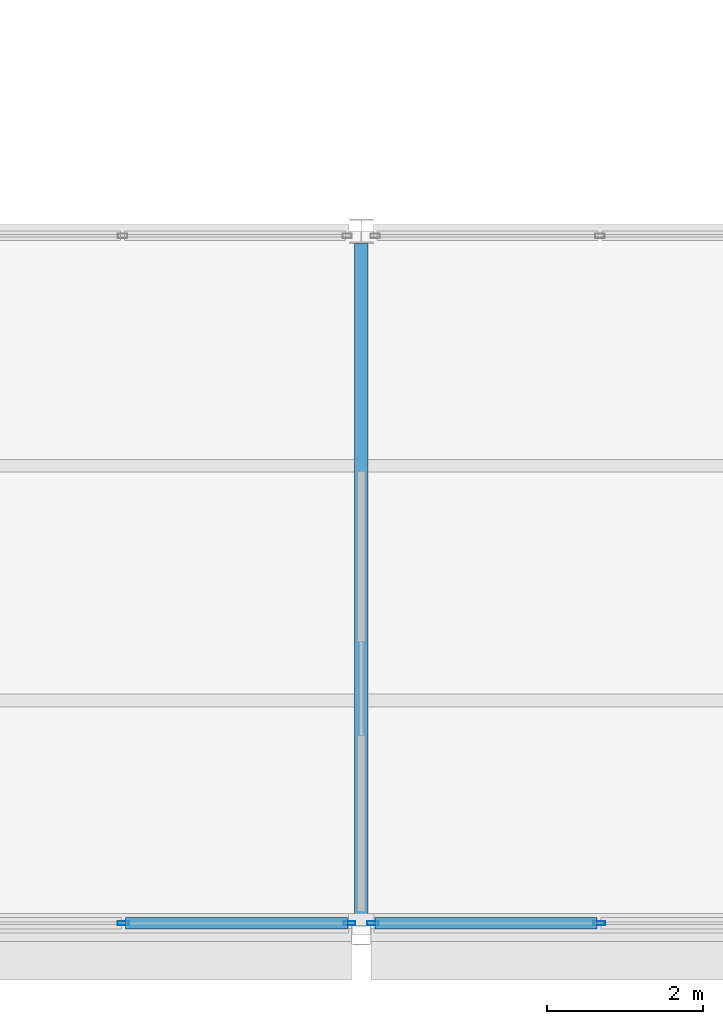
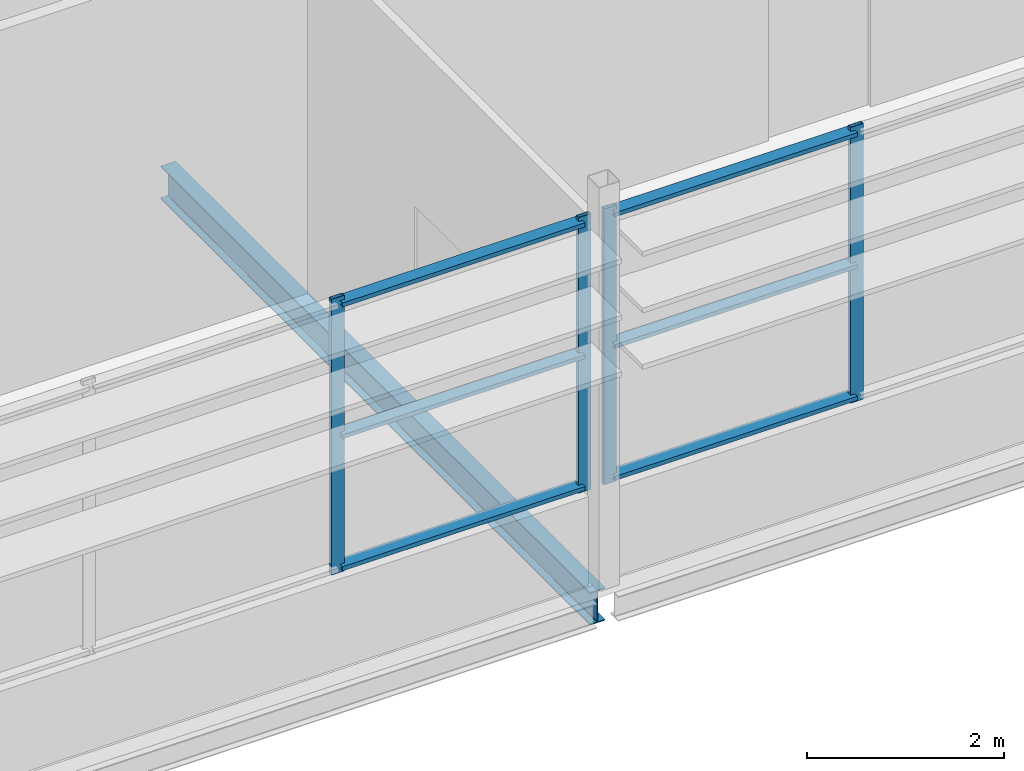
# One storey, part 34 of 94: 10 members, 1 beam, 2 elements without a shape of their own.
"""IFC4 building model written with IfcOpenShell, lengths in metres."""

from ifc_helpers import new_model, si_unit, direction, frame, origin, origin_2d, place, context, subcontext, project, spatial, hollow_rectangle, i_section, extrude, material, layer, layer_set, material_profile, profile_set, type_object, element, aggregate, save


model = new_model("IFC4")

# Units and contexts
model_context = context("Model", 3, precision=1e-05, world=origin(), true_north=direction((0.0, 1.0)))
body_context = subcontext(model_context, "Body", "Model", "MODEL_VIEW")
ifc_project = project(units=[si_unit("LENGTHUNIT", "METRE"), si_unit("AREAUNIT", "SQUARE_METRE"), si_unit("VOLUMEUNIT", "CUBIC_METRE"), si_unit("PLANEANGLEUNIT", "RADIAN"), si_unit("MASSUNIT", "GRAM", prefix="KILO")], contexts=[model_context])

# Site, building, storey
site_placement = place(None, origin())
site = spatial("IfcSite", under=ifc_project, at=site_placement, CompositionType="ELEMENT")
building_placement = place(site_placement, origin())
building = spatial("IfcBuilding", under=site, at=building_placement, Name="Shorebreak Coast Museum", CompositionType="ELEMENT")
storey_placement = place(building_placement, frame((0.0, 0.0, 31.0)))
storey = spatial("IfcBuildingStorey", under=building, at=storey_placement, Name="L05", CompositionType="ELEMENT", Elevation=31.0)

# Beam
ifc_material_1 = material(Name="Steel Grade 300", Category="steel")
ifc_material_profile_1 = material_profile(ifc_material_1, i_section(OverallWidth=0.177978515625, OverallDepth=0.406494140625, WebThickness=0.0078125, FlangeThickness=0.0126953125, FilletRadius=0.011474609375, at=origin_2d()), Name="410UB59.7")
ifc_profile_set_1 = profile_set([ifc_material_profile_1], Name="Steel Grade 300")
beam_type = type_object("IfcBeamType", Name="Floor girder north-south 410UB59.7", PredefinedType="BEAM", material=ifc_profile_set_1)
beam_placement = place(storey_placement, frame((90.0, 54.125, -0.378173828125), z_axis=(0.0, 1.0, 0.0), x_axis=(-1.0, 0.0, 0.0)))
element("IfcBeam", 1, at=beam_placement, inside=storey, type_object=beam_type, Name="Floor girder north-south L05 11G", PredefinedType="BEAM", context=body_context, shape_type="SweptSolid", body=[
    extrude(i_section(OverallWidth=0.177978515625, OverallDepth=0.406494140625, WebThickness=0.0078125, FlangeThickness=0.0126953125, FilletRadius=0.011474609375, at=origin_2d()), origin(), (0.0, 0.0, 1.0), 8.7177734375),
])

# Curtain wall, members
ifc_material_2 = material(Name="Aluminium", Category="aluminium")
ifc_layer = layer(ifc_material_2, 0.14990234375)
ifc_layer_set = layer_set([ifc_layer], Name="Aluminium")
curtain_wall_type = type_object("IfcCurtainWallType", Name="Storefront curtain wall", PredefinedType="NOTDEFINED", material=ifc_layer_set)
curtain_wall_1_placement = place(storey_placement, origin())
curtain_wall_1 = element("IfcCurtainWall", 2, at=curtain_wall_1_placement, inside=storey, type_object=curtain_wall_type, Name="Atrium Hall glazing L05 S 15", PredefinedType="NOTDEFINED")
ifc_material_3 = material(Name="Aluminium", Category="aluminium")
ifc_material_profile_2 = material_profile(ifc_material_3, hollow_rectangle(XDim=0.050048828125, YDim=0.14990234375, WallThickness=0.00390625, at=origin_2d()), Name="AL 150x50 RHS")
ifc_profile_set_2 = profile_set([ifc_material_profile_2], Name="Aluminium")
member_type_1 = type_object("IfcMemberType", Name="Storefront mullion 50 x 150", PredefinedType="MULLION", material=ifc_profile_set_2)
member_1_placement = place(storey_placement, frame((86.958251953125, 54.14990234375, 1.10009765625), z_axis=(0.0, 0.0, 1.0), x_axis=(0.0, 1.0, 0.0)))
member_1 = element("IfcMember", 3, at=member_1_placement, type_object=member_type_1, Name="CW5 mullion 3", PredefinedType="MULLION", context=body_context, shape_type="SweptSolid", body=[
    extrude(hollow_rectangle(XDim=0.050048828125, YDim=0.14990234375, WallThickness=0.00390625, at=origin_2d()), origin(), (0.0, 0.0, 1.0), 3.417724609375),
])
member_2_placement = place(storey_placement, frame((89.85009765625, 54.14990234375, 1.10009765625), z_axis=(0.0, 0.0, 1.0), x_axis=(0.0, 1.0, 0.0)))
member_2 = element("IfcMember", 4, at=member_2_placement, type_object=member_type_1, Name="CW5 mullion 4", PredefinedType="MULLION", context=body_context, shape_type="SweptSolid", body=[
    extrude(hollow_rectangle(XDim=0.050048828125, YDim=0.14990234375, WallThickness=0.00390625, at=origin_2d()), origin(), (0.0, 0.0, 1.0), 3.417724609375),
])

curtain_wall_2_placement = place(storey_placement, origin())
curtain_wall_2 = element("IfcCurtainWall", 5, at=curtain_wall_2_placement, inside=storey, type_object=curtain_wall_type, Name="Atrium Hall glazing L05 S 16", PredefinedType="NOTDEFINED")
member_3_placement = place(storey_placement, frame((90.14990234375, 54.14990234375, 1.10009765625), z_axis=(0.0, 0.0, 1.0), x_axis=(0.0, 1.0, 0.0)))
member_3 = element("IfcMember", 6, at=member_3_placement, type_object=member_type_1, Name="CW5 mullion 1", PredefinedType="MULLION", context=body_context, shape_type="SweptSolid", body=[
    extrude(hollow_rectangle(XDim=0.050048828125, YDim=0.14990234375, WallThickness=0.00390625, at=origin_2d()), origin(), (0.0, 0.0, 1.0), 3.417724609375),
])
member_4_placement = place(storey_placement, frame((93.041748046875, 54.14990234375, 1.10009765625), z_axis=(0.0, 0.0, 1.0), x_axis=(0.0, 1.0, 0.0)))
member_4 = element("IfcMember", 7, at=member_4_placement, type_object=member_type_1, Name="CW5 mullion 2", PredefinedType="MULLION", context=body_context, shape_type="SweptSolid", body=[
    extrude(hollow_rectangle(XDim=0.050048828125, YDim=0.14990234375, WallThickness=0.00390625, at=origin_2d()), origin(), (0.0, 0.0, 1.0), 3.417724609375),
])

# Member
ifc_material_4 = material(Name="Aluminium", Category="aluminium")
ifc_material_profile_3 = material_profile(ifc_material_4, hollow_rectangle(XDim=0.14990234375, YDim=0.050048828125, WallThickness=0.00390625, at=origin_2d()), Name="AL 50x150 RHS")
ifc_profile_set_3 = profile_set([ifc_material_profile_3], Name="Aluminium")
member_type_2 = type_object("IfcMemberType", Name="Storefront transom 150 x 50", PredefinedType="USERDEFINED", material=ifc_profile_set_3)
member_5_placement = place(storey_placement, frame((86.9833984375, 54.14990234375, 1.175048828125), z_axis=(1.0, 0.0, 0.0), x_axis=(0.0, 1.0, 0.0)))
member_5 = element("IfcMember", 8, at=member_5_placement, type_object=member_type_2, Name="CW5 transom 3.1", ObjectType="TRANSOM", PredefinedType="USERDEFINED", context=body_context, shape_type="SweptSolid", body=[
    extrude(hollow_rectangle(XDim=0.14990234375, YDim=0.050048828125, WallThickness=0.00390625, at=origin_2d()), origin(), (0.0, 0.0, 1.0), 2.841552734375),
])

member_6_placement = place(storey_placement, frame((86.9833984375, 54.14990234375, 2.808837890625), z_axis=(1.0, 0.0, 0.0), x_axis=(0.0, 1.0, 0.0)))
member_6 = element("IfcMember", 9, at=member_6_placement, type_object=member_type_2, Name="CW5 transom 3.2", ObjectType="TRANSOM", PredefinedType="USERDEFINED", context=body_context, shape_type="SweptSolid", body=[
    extrude(hollow_rectangle(XDim=0.14990234375, YDim=0.050048828125, WallThickness=0.00390625, at=origin_2d()), origin(), (0.0, 0.0, 1.0), 2.841552734375),
])

member_7_placement = place(storey_placement, frame((86.9833984375, 54.14990234375, 4.44287109375), z_axis=(1.0, 0.0, 0.0), x_axis=(0.0, 1.0, 0.0)))
member_7 = element("IfcMember", 10, at=member_7_placement, type_object=member_type_2, Name="CW5 transom 3.3", ObjectType="TRANSOM", PredefinedType="USERDEFINED", context=body_context, shape_type="SweptSolid", body=[
    extrude(hollow_rectangle(XDim=0.14990234375, YDim=0.050048828125, WallThickness=0.00390625, at=origin_2d()), origin(), (0.0, 0.0, 1.0), 2.841552734375),
])

aggregate(curtain_wall_1, [member_1, member_2, member_5, member_6, member_7])

member_8_placement = place(storey_placement, frame((90.175048828125, 54.14990234375, 1.175048828125), z_axis=(1.0, 0.0, 0.0), x_axis=(0.0, 1.0, 0.0)))
member_8 = element("IfcMember", 11, at=member_8_placement, type_object=member_type_2, Name="CW5 transom 1.1", ObjectType="TRANSOM", PredefinedType="USERDEFINED", context=body_context, shape_type="SweptSolid", body=[
    extrude(hollow_rectangle(XDim=0.14990234375, YDim=0.050048828125, WallThickness=0.00390625, at=origin_2d()), origin(), (0.0, 0.0, 1.0), 2.841552734375),
])

member_9_placement = place(storey_placement, frame((90.175048828125, 54.14990234375, 2.808837890625), z_axis=(1.0, 0.0, 0.0), x_axis=(0.0, 1.0, 0.0)))
member_9 = element("IfcMember", 12, at=member_9_placement, type_object=member_type_2, Name="CW5 transom 1.2", ObjectType="TRANSOM", PredefinedType="USERDEFINED", context=body_context, shape_type="SweptSolid", body=[
    extrude(hollow_rectangle(XDim=0.14990234375, YDim=0.050048828125, WallThickness=0.00390625, at=origin_2d()), origin(), (0.0, 0.0, 1.0), 2.841552734375),
])

member_10_placement = place(storey_placement, frame((90.175048828125, 54.14990234375, 4.44287109375), z_axis=(1.0, 0.0, 0.0), x_axis=(0.0, 1.0, 0.0)))
member_10 = element("IfcMember", 13, at=member_10_placement, type_object=member_type_2, Name="CW5 transom 1.3", ObjectType="TRANSOM", PredefinedType="USERDEFINED", context=body_context, shape_type="SweptSolid", body=[
    extrude(hollow_rectangle(XDim=0.14990234375, YDim=0.050048828125, WallThickness=0.00390625, at=origin_2d()), origin(), (0.0, 0.0, 1.0), 2.841552734375),
])

aggregate(curtain_wall_2, [member_3, member_4, member_8, member_9, member_10])

save(model, "model.ifc")
